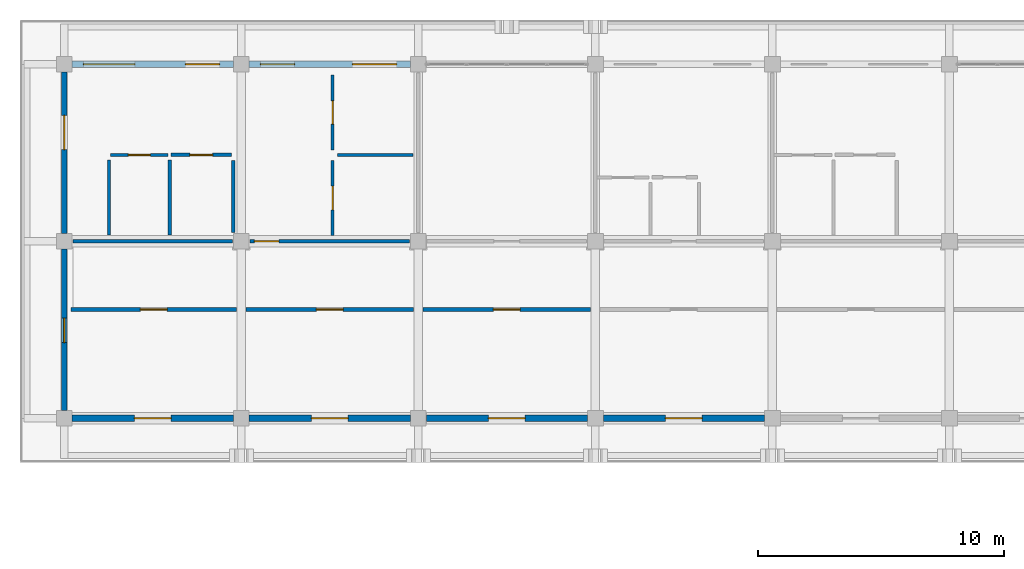
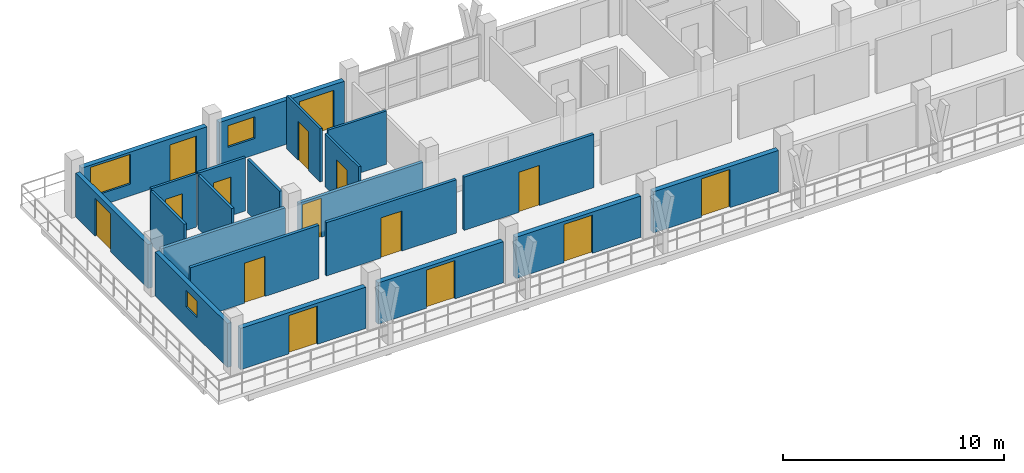
# One storey, part 45 of 78: 21 walls, 15 doors, 3 windows, 18 openings.
"""IFC4 building model written with IfcOpenShell, lengths in metres."""

from ifc_helpers import new_model, si_unit, direction, frame, frame_2d, origin, place, context, subcontext, project, spatial, rectangle, extrude, material, layer, layer_set, type_object, element, fill, save


model = new_model("IFC4")

# Units and contexts
model_context = context("Model", 3, precision=1e-05, world=origin(), true_north=direction((0.0, 1.0)))
body_context = subcontext(model_context, "Body", "Model", "MODEL_VIEW")
ifc_project = project(units=[si_unit("LENGTHUNIT", "METRE"), si_unit("AREAUNIT", "SQUARE_METRE"), si_unit("VOLUMEUNIT", "CUBIC_METRE"), si_unit("PLANEANGLEUNIT", "RADIAN"), si_unit("MASSUNIT", "GRAM", prefix="KILO")], contexts=[model_context])

# Site, building, storey
site_placement = place(None, origin())
site = spatial("IfcSite", under=ifc_project, at=site_placement, CompositionType="ELEMENT")
building_placement = place(site_placement, origin())
building = spatial("IfcBuilding", under=site, at=building_placement, Name="Suanplinth Sawtooth Commons", CompositionType="ELEMENT")
storey_placement = place(building_placement, frame((0.0, 0.0, 15.39990234375)))
storey = spatial("IfcBuildingStorey", under=building, at=storey_placement, Name="L04", CompositionType="ELEMENT", Elevation=15.39990234375)

# Wall, openings, door, window
ifc_material_1 = material(Name="Precast concrete C40/50", Category="concrete")
ifc_layer_1 = layer(ifc_material_1, 0.260009765625, Name="Insulated precast courtyard facade wall 260mm")
ifc_layer_set_1 = layer_set([ifc_layer_1], Name="Precast concrete C40/50")
wall_type_1 = type_object("IfcWallType", Name="W-EX02", PredefinedType="ELEMENTEDWALL", material=ifc_layer_set_1)
wall_1_placement = place(storey_placement, frame((0.324951171875, 122.39990234375, 0.0), z_axis=(0.0, 0.0, 1.0), x_axis=(1.0, 0.0, 0.0)))
wall_1 = element("IfcWall", 1, at=wall_1_placement, inside=storey, type_object=wall_type_1, Name="Facade Wall W-L04-A-N-0", PredefinedType="ELEMENTEDWALL", context=body_context, shape_type="SweptSolid", body=[
    extrude(rectangle(XDim=6.550048828125, YDim=0.260009765625, at=frame_2d((3.27490234375, 0.0))), origin(), (0.0, 0.0, 1.0), 2.43017578125),
])
opening_1_placement = place(wall_1_placement, frame((4.60009765625, 0.0, 0.0)))
opening_1 = element("IfcOpeningElement", 2, at=opening_1_placement, cuts=wall_1, Name="Opening ED0309", PredefinedType="OPENING", context=body_context, shape_type="SweptSolid", body=[
    extrude(rectangle(XDim=1.39990234375, YDim=2.10009765625, at=frame_2d((0.699951171875, 1.050048828125))), frame((0.0, 0.14501953125, 0.0), z_axis=(0.0, -1.0, 0.0), x_axis=(1.0, 0.0, 0.0)), (0.0, 0.0, 1.0), 0.289794921875),
])
opening_2_placement = place(wall_1_placement, frame((0.449951171875, 0.0, 0.659912109375)))
opening_2 = element("IfcOpeningElement", 3, at=opening_2_placement, cuts=wall_1, Name="Opening W0414", PredefinedType="OPENING", context=body_context, shape_type="SweptSolid", body=[
    extrude(rectangle(XDim=2.10009765625, YDim=1.64990234375, at=frame_2d((1.050048828125, 0.824951171875))), frame((0.0, 0.14501953125, 0.0), z_axis=(0.0, -1.0, 0.0), x_axis=(1.0, 0.0, 0.0)), (0.0, 0.0, 1.0), 0.289794921875),
])
ifc_material_2 = material(Name="Anodized aluminium and low-E glass", Category="aluminium")
door_type_1 = type_object("IfcDoorType", Name="SD-07", OperationType="SLIDING_TO_RIGHT", PredefinedType="DOOR", material=ifc_material_2)
door_1_placement = place(opening_1_placement, frame((1.39990234375, 0.0, 0.0), z_axis=(0.0, 0.0, 1.0), x_axis=(-1.0, 0.0, 0.0)))
door_1 = element("IfcDoor", 4, at=door_1_placement, inside=storey, type_object=door_type_1, Name="Balcony Sliding Door L04-A-N-0", OperationType="SLIDING_TO_RIGHT", OverallHeight=2.10009765625, OverallWidth=1.39990234375, PredefinedType="DOOR", context=body_context, shape_type="SweptSolid", body=[
    extrude(rectangle(XDim=1.39990234375, YDim=2.10009765625, at=frame_2d((0.699951171875, 1.050048828125))), frame((0.0, 0.02490234375, 0.0), z_axis=(0.0, -1.0, 0.0), x_axis=(1.0, 0.0, 0.0)), (0.0, 0.0, 1.0), 0.050048828125),
])
fill(opening_1, door_1)
ifc_material_3 = material(Name="Thermally broken aluminium and low-E double glazing", Category="aluminium")
window_type_1 = type_object("IfcWindowType", Name="WN-06", PartitioningType="DOUBLE_PANEL_VERTICAL", PredefinedType="WINDOW", material=ifc_material_3)
window_1_placement = place(opening_2_placement, origin())
window_1 = element("IfcWindow", 5, at=window_1_placement, inside=storey, type_object=window_type_1, Name="Window L04-A-N-0", OverallHeight=1.64990234375, OverallWidth=2.10009765625, PartitioningType="DOUBLE_PANEL_VERTICAL", PredefinedType="WINDOW", context=body_context, shape_type="SweptSolid", body=[
    extrude(rectangle(XDim=2.10009765625, YDim=1.64990234375, at=frame_2d((1.050048828125, 0.824951171875))), frame((0.0, 0.030029296875, 0.0), z_axis=(0.0, -1.0, 0.0), x_axis=(1.0, 0.0, 0.0)), (0.0, 0.0, 1.0), 0.06005859375),
])
fill(opening_2, window_1)

# Wall, opening, door
wall_2_placement = place(storey_placement, frame((0.324951171875, 108.0, 0.0), z_axis=(0.0, 0.0, 1.0), x_axis=(1.0, 0.0, 0.0)))
wall_2 = element("IfcWall", 6, at=wall_2_placement, inside=storey, type_object=wall_type_1, Name="Courtyard Wall W-L04-A-S-0", PredefinedType="ELEMENTEDWALL", context=body_context, shape_type="SweptSolid", body=[
    extrude(rectangle(XDim=6.550048828125, YDim=0.260009765625, at=frame_2d((3.27490234375, 0.0))), origin(), (0.0, 0.0, 1.0), 2.28515625),
])
opening_3_placement = place(wall_2_placement, frame((2.52490234375, 0.0, 0.0)))
opening_3 = element("IfcOpeningElement", 7, at=opening_3_placement, cuts=wall_2, Name="Opening ED0310", PredefinedType="OPENING", context=body_context, shape_type="SweptSolid", body=[
    extrude(rectangle(XDim=1.5, YDim=2.1201171875, at=frame_2d((0.75, 1.06005859375))), frame((0.0, 0.14501953125, 0.0), z_axis=(0.0, -1.0, 0.0), x_axis=(1.0, 0.0, 0.0)), (0.0, 0.0, 1.0), 0.289794921875),
])
door_type_2 = type_object("IfcDoorType", Name="SD-03", OperationType="SLIDING_TO_LEFT", PredefinedType="DOOR", material=ifc_material_2)
door_2_placement = place(opening_3_placement, frame((1.5, 0.0, 0.0), z_axis=(0.0, 0.0, 1.0), x_axis=(-1.0, 0.0, 0.0)))
door_2 = element("IfcDoor", 8, at=door_2_placement, inside=storey, type_object=door_type_2, Name="Courtyard Balcony Sliding Door L04-A-S-0", OperationType="SLIDING_TO_LEFT", OverallHeight=2.1201171875, OverallWidth=1.5, PredefinedType="DOOR", context=body_context, shape_type="SweptSolid", body=[
    extrude(rectangle(XDim=1.5, YDim=2.1201171875, at=frame_2d((0.75, 1.06005859375))), frame((0.0, 0.02490234375, 0.0), z_axis=(0.0, -1.0, 0.0), x_axis=(1.0, 0.0, 0.0)), (0.0, 0.0, 1.0), 0.050048828125),
])
fill(opening_3, door_2)

# Wall, openings, door, window
wall_3_placement = place(storey_placement, frame((7.52490234375, 122.39990234375, 0.0), z_axis=(0.0, 0.0, 1.0), x_axis=(1.0, 0.0, 0.0)))
wall_3 = element("IfcWall", 9, at=wall_3_placement, inside=storey, type_object=wall_type_1, Name="Facade Wall W-L04-A-N-1", PredefinedType="ELEMENTEDWALL", context=body_context, shape_type="SweptSolid", body=[
    extrude(rectangle(XDim=6.550048828125, YDim=0.260009765625, at=frame_2d((3.27490234375, 0.0))), origin(), (0.0, 0.0, 1.0), 2.43017578125),
])
opening_4_placement = place(wall_3_placement, frame((4.199951171875, 0.0, 0.0)))
opening_4 = element("IfcOpeningElement", 10, at=opening_4_placement, cuts=wall_3, Name="Opening ED0311", PredefinedType="OPENING", context=body_context, shape_type="SweptSolid", body=[
    extrude(rectangle(XDim=1.800048828125, YDim=2.1201171875, at=frame_2d((0.89990234375, 1.06005859375))), frame((0.0, 0.14501953125, 0.0), z_axis=(0.0, -1.0, 0.0), x_axis=(1.0, 0.0, 0.0)), (0.0, 0.0, 1.0), 0.289794921875),
])
opening_5_placement = place(wall_3_placement, frame((0.449951171875, 0.0, 0.89990234375)))
opening_5 = element("IfcOpeningElement", 11, at=opening_5_placement, cuts=wall_3, Name="Opening W0415", PredefinedType="OPENING", context=body_context, shape_type="SweptSolid", body=[
    extrude(rectangle(XDim=1.39990234375, YDim=1.199951171875, at=frame_2d((0.699951171875, 0.60009765625))), frame((0.0, 0.14501953125, 0.0), z_axis=(0.0, -1.0, 0.0), x_axis=(1.0, 0.0, 0.0)), (0.0, 0.0, 1.0), 0.289794921875),
])
door_type_3 = type_object("IfcDoorType", Name="SD-01", OperationType="SLIDING_TO_LEFT", PredefinedType="DOOR", material=ifc_material_2)
door_3_placement = place(opening_4_placement, frame((1.800048828125, 0.0, 0.0), z_axis=(0.0, 0.0, 1.0), x_axis=(-1.0, 0.0, 0.0)))
door_3 = element("IfcDoor", 12, at=door_3_placement, inside=storey, type_object=door_type_3, Name="Balcony Sliding Door L04-A-N-1", OperationType="SLIDING_TO_LEFT", OverallHeight=2.1201171875, OverallWidth=1.800048828125, PredefinedType="DOOR", context=body_context, shape_type="SweptSolid", body=[
    extrude(rectangle(XDim=1.800048828125, YDim=2.1201171875, at=frame_2d((0.89990234375, 1.06005859375))), frame((0.0, 0.02490234375, 0.0), z_axis=(0.0, -1.0, 0.0), x_axis=(1.0, 0.0, 0.0)), (0.0, 0.0, 1.0), 0.050048828125),
])
fill(opening_4, door_3)
window_type_2 = type_object("IfcWindowType", Name="WN-10", PartitioningType="DOUBLE_PANEL_HORIZONTAL", PredefinedType="WINDOW", material=ifc_material_3)
window_2_placement = place(opening_5_placement, origin())
window_2 = element("IfcWindow", 13, at=window_2_placement, inside=storey, type_object=window_type_2, Name="Window L04-A-N-1", OverallHeight=1.199951171875, OverallWidth=1.39990234375, PartitioningType="DOUBLE_PANEL_HORIZONTAL", PredefinedType="WINDOW", context=body_context, shape_type="SweptSolid", body=[
    extrude(rectangle(XDim=1.39990234375, YDim=1.199951171875, at=frame_2d((0.699951171875, 0.60009765625))), frame((0.0, 0.030029296875, 0.0), z_axis=(0.0, -1.0, 0.0), x_axis=(1.0, 0.0, 0.0)), (0.0, 0.0, 1.0), 0.06005859375),
])
fill(opening_5, window_2)

# Wall, opening, door
wall_4_placement = place(storey_placement, frame((7.52490234375, 108.0, 0.0), z_axis=(0.0, 0.0, 1.0), x_axis=(1.0, 0.0, 0.0)))
wall_4 = element("IfcWall", 14, at=wall_4_placement, inside=storey, type_object=wall_type_1, Name="Courtyard Wall W-L04-A-S-1", PredefinedType="ELEMENTEDWALL", context=body_context, shape_type="SweptSolid", body=[
    extrude(rectangle(XDim=6.550048828125, YDim=0.260009765625, at=frame_2d((3.27490234375, 0.0))), origin(), (0.0, 0.0, 1.0), 2.28515625),
])
opening_6_placement = place(wall_4_placement, frame((2.52490234375, 0.0, 0.0)))
opening_6 = element("IfcOpeningElement", 15, at=opening_6_placement, cuts=wall_4, Name="Opening ED0312", PredefinedType="OPENING", context=body_context, shape_type="SweptSolid", body=[
    extrude(rectangle(XDim=1.5, YDim=2.1201171875, at=frame_2d((0.75, 1.06005859375))), frame((0.0, 0.14501953125, 0.0), z_axis=(0.0, -1.0, 0.0), x_axis=(1.0, 0.0, 0.0)), (0.0, 0.0, 1.0), 0.289794921875),
])
door_4_placement = place(opening_6_placement, frame((1.5, 0.0, 0.0), z_axis=(0.0, 0.0, 1.0), x_axis=(-1.0, 0.0, 0.0)))
door_4 = element("IfcDoor", 16, at=door_4_placement, inside=storey, type_object=door_type_2, Name="Courtyard Balcony Sliding Door L04-A-S-1", OperationType="SLIDING_TO_LEFT", OverallHeight=2.1201171875, OverallWidth=1.5, PredefinedType="DOOR", context=body_context, shape_type="SweptSolid", body=[
    extrude(rectangle(XDim=1.5, YDim=2.1201171875, at=frame_2d((0.75, 1.06005859375))), frame((0.0, 0.02490234375, 0.0), z_axis=(0.0, -1.0, 0.0), x_axis=(1.0, 0.0, 0.0)), (0.0, 0.0, 1.0), 0.050048828125),
])
fill(opening_6, door_4)

wall_5_placement = place(storey_placement, frame((14.72509765625, 108.0, 0.0), z_axis=(0.0, 0.0, 1.0), x_axis=(1.0, 0.0, 0.0)))
wall_5 = element("IfcWall", 17, at=wall_5_placement, inside=storey, type_object=wall_type_1, Name="Courtyard Wall W-L04-A-S-2", PredefinedType="ELEMENTEDWALL", context=body_context, shape_type="SweptSolid", body=[
    extrude(rectangle(XDim=6.5498046875, YDim=0.260009765625, at=frame_2d((3.27490234375, 0.0))), origin(), (0.0, 0.0, 1.0), 2.28515625),
])
opening_7_placement = place(wall_5_placement, frame((2.52490234375, 0.0, 0.0)))
opening_7 = element("IfcOpeningElement", 18, at=opening_7_placement, cuts=wall_5, Name="Opening ED0313", PredefinedType="OPENING", context=body_context, shape_type="SweptSolid", body=[
    extrude(rectangle(XDim=1.5, YDim=2.1201171875, at=frame_2d((0.75, 1.06005859375))), frame((0.0, 0.14501953125, 0.0), z_axis=(0.0, -1.0, 0.0), x_axis=(1.0, 0.0, 0.0)), (0.0, 0.0, 1.0), 0.289794921875),
])
door_5_placement = place(opening_7_placement, frame((1.5, 0.0, 0.0), z_axis=(0.0, 0.0, 1.0), x_axis=(-1.0, 0.0, 0.0)))
door_5 = element("IfcDoor", 19, at=door_5_placement, inside=storey, type_object=door_type_2, Name="Courtyard Balcony Sliding Door L04-A-S-2", OperationType="SLIDING_TO_LEFT", OverallHeight=2.1201171875, OverallWidth=1.5, PredefinedType="DOOR", context=body_context, shape_type="SweptSolid", body=[
    extrude(rectangle(XDim=1.5, YDim=2.1201171875, at=frame_2d((0.75, 1.06005859375))), frame((0.0, 0.02490234375, 0.0), z_axis=(0.0, -1.0, 0.0), x_axis=(1.0, 0.0, 0.0)), (0.0, 0.0, 1.0), 0.050048828125),
])
fill(opening_7, door_5)

wall_6_placement = place(storey_placement, frame((21.925048828125, 108.0, 0.0), z_axis=(0.0, 0.0, 1.0), x_axis=(1.0, 0.0, 0.0)))
wall_6 = element("IfcWall", 20, at=wall_6_placement, inside=storey, type_object=wall_type_1, Name="Courtyard Wall W-L04-A-S-3", PredefinedType="ELEMENTEDWALL", context=body_context, shape_type="SweptSolid", body=[
    extrude(rectangle(XDim=6.550048828125, YDim=0.260009765625, at=frame_2d((3.27490234375, 0.0))), origin(), (0.0, 0.0, 1.0), 2.28515625),
])
opening_8_placement = place(wall_6_placement, frame((2.52490234375, 0.0, 0.0)))
opening_8 = element("IfcOpeningElement", 21, at=opening_8_placement, cuts=wall_6, Name="Opening ED0315", PredefinedType="OPENING", context=body_context, shape_type="SweptSolid", body=[
    extrude(rectangle(XDim=1.5, YDim=2.1201171875, at=frame_2d((0.75, 1.06005859375))), frame((0.0, 0.14501953125, 0.0), z_axis=(0.0, -1.0, 0.0), x_axis=(1.0, 0.0, 0.0)), (0.0, 0.0, 1.0), 0.289794921875),
])
door_6_placement = place(opening_8_placement, frame((1.5, 0.0, 0.0), z_axis=(0.0, 0.0, 1.0), x_axis=(-1.0, 0.0, 0.0)))
door_6 = element("IfcDoor", 22, at=door_6_placement, inside=storey, type_object=door_type_2, Name="Courtyard Balcony Sliding Door L04-A-S-3", OperationType="SLIDING_TO_LEFT", OverallHeight=2.1201171875, OverallWidth=1.5, PredefinedType="DOOR", context=body_context, shape_type="SweptSolid", body=[
    extrude(rectangle(XDim=1.5, YDim=2.1201171875, at=frame_2d((0.75, 1.06005859375))), frame((0.0, 0.02490234375, 0.0), z_axis=(0.0, -1.0, 0.0), x_axis=(1.0, 0.0, 0.0)), (0.0, 0.0, 1.0), 0.050048828125),
])
fill(opening_8, door_6)

# Wall, opening, window
ifc_layer_2 = layer(ifc_material_1, 0.22998046875, Name="Stepped terrace insulated precast wall 230mm")
ifc_layer_set_2 = layer_set([ifc_layer_2], Name="Precast concrete C40/50")
wall_type_2 = type_object("IfcWallType", Name="W-EX06", PredefinedType="ELEMENTEDWALL", material=ifc_layer_set_2)
wall_7_placement = place(storey_placement, frame((0.0, 108.324951171875, 0.0), z_axis=(0.0, 0.0, 1.0), x_axis=(0.0, 1.0, 0.0)))
wall_7 = element("IfcWall", 23, at=wall_7_placement, inside=storey, type_object=wall_type_2, Name="End Wall W-L04-A-W-15", PredefinedType="ELEMENTEDWALL", context=body_context, shape_type="SweptSolid", body=[
    extrude(rectangle(XDim=6.550048828125, YDim=0.22998046875, at=frame_2d((3.27490234375, 0.0))), origin(), (0.0, 0.0, 1.0), 2.43017578125),
])
opening_9_placement = place(wall_7_placement, frame((2.75, 0.0, 1.10009765625)))
opening_9 = element("IfcOpeningElement", 24, at=opening_9_placement, cuts=wall_7, Name="Opening W0430", PredefinedType="OPENING", context=body_context, shape_type="SweptSolid", body=[
    extrude(rectangle(XDim=1.0, YDim=0.89990234375, at=frame_2d((0.5, 0.449951171875))), frame((0.0, 0.1298828125, 0.0), z_axis=(0.0, -1.0, 0.0), x_axis=(1.0, 0.0, 0.0)), (0.0, 0.0, 1.0), 0.259765625),
])
window_type_3 = type_object("IfcWindowType", Name="WN-12", PartitioningType="SINGLE_PANEL", PredefinedType="WINDOW", material=ifc_material_3)
window_3_placement = place(opening_9_placement, origin())
window_3 = element("IfcWindow", 25, at=window_3_placement, inside=storey, type_object=window_type_3, Name="End Window L04-A-W-15", OverallHeight=0.89990234375, OverallWidth=1.0, PartitioningType="SINGLE_PANEL", PredefinedType="WINDOW", context=body_context, shape_type="SweptSolid", body=[
    extrude(rectangle(XDim=1.0, YDim=0.89990234375, at=frame_2d((0.5, 0.449951171875))), frame((0.0, 0.030029296875, 0.0), z_axis=(0.0, -1.0, 0.0), x_axis=(1.0, 0.0, 0.0)), (0.0, 0.0, 1.0), 0.06005859375),
])
fill(opening_9, window_3)

# Wall, opening, door
wall_8_placement = place(storey_placement, frame((0.0, 115.52490234375, 0.0), z_axis=(0.0, 0.0, 1.0), x_axis=(0.0, 1.0, 0.0)))
wall_8 = element("IfcWall", 26, at=wall_8_placement, inside=storey, type_object=wall_type_2, Name="End Wall W-L04-A-W-16", PredefinedType="ELEMENTEDWALL", context=body_context, shape_type="SweptSolid", body=[
    extrude(rectangle(XDim=6.550048828125, YDim=0.22998046875, at=frame_2d((3.27490234375, 0.0))), origin(), (0.0, 0.0, 1.0), 2.43017578125),
])
opening_10_placement = place(wall_8_placement, frame((3.39990234375, 0.0, 0.0)))
opening_10 = element("IfcOpeningElement", 27, at=opening_10_placement, cuts=wall_8, Name="Opening ED0333", PredefinedType="OPENING", context=body_context, shape_type="SweptSolid", body=[
    extrude(rectangle(XDim=1.39990234375, YDim=2.10009765625, at=frame_2d((0.699951171875, 1.050048828125))), frame((0.0, 0.1298828125, 0.0), z_axis=(0.0, -1.0, 0.0), x_axis=(1.0, 0.0, 0.0)), (0.0, 0.0, 1.0), 0.259765625),
])
door_7_placement = place(opening_10_placement, frame((1.39990234375, 0.0, 0.0), z_axis=(0.0, 0.0, 1.0), x_axis=(-1.0, 0.0, 0.0)))
door_7 = element("IfcDoor", 28, at=door_7_placement, inside=storey, type_object=door_type_1, Name="L04 Block A W End Balcony Door", OperationType="SLIDING_TO_RIGHT", OverallHeight=2.10009765625, OverallWidth=1.39990234375, PredefinedType="DOOR", context=body_context, shape_type="SweptSolid", body=[
    extrude(rectangle(XDim=1.39990234375, YDim=2.10009765625, at=frame_2d((0.699951171875, 1.050048828125))), frame((0.0, 0.02490234375, 0.0), z_axis=(0.0, -1.0, 0.0), x_axis=(1.0, 0.0, 0.0)), (0.0, 0.0, 1.0), 0.050048828125),
])
fill(opening_10, door_7)

# Wall
ifc_layer_3 = layer(ifc_material_1, 0.159912109375, Name="Fire-rated corridor and lobby wall 160mm")
ifc_layer_set_3 = layer_set([ifc_layer_3], Name="Precast concrete C40/50")
wall_type_3 = type_object("IfcWallType", Name="W-FW01", PredefinedType="PARTITIONING", material=ifc_layer_set_3)
wall_9_placement = place(storey_placement, frame((0.35498046875, 115.199951171875, 0.0), z_axis=(0.0, 0.0, 1.0), x_axis=(1.0, 0.0, 0.0)))
element("IfcWall", 29, at=wall_9_placement, inside=storey, type_object=wall_type_3, Name="W-A-L04-U01-COR-S1", PredefinedType="PARTITIONING", context=body_context, shape_type="SweptSolid", body=[
    extrude(rectangle(XDim=6.489990234375, YDim=0.159912109375, at=frame_2d((3.2451171875, 0.0))), origin(), (0.0, 0.0, 1.0), 2.28515625),
])

# Wall, opening, door
wall_10_placement = place(storey_placement, frame((7.554931640625, 115.199951171875, 0.0), z_axis=(0.0, 0.0, 1.0), x_axis=(1.0, 0.0, 0.0)))
wall_10 = element("IfcWall", 30, at=wall_10_placement, inside=storey, type_object=wall_type_3, Name="W-A-L04-U01-COR-S2", PredefinedType="PARTITIONING", context=body_context, shape_type="SweptSolid", body=[
    extrude(rectangle(XDim=6.489990234375, YDim=0.159912109375, at=frame_2d((3.2451171875, 0.0))), origin(), (0.0, 0.0, 1.0), 2.28515625),
])
opening_11_placement = place(wall_10_placement, frame((0.179931640625, 0.0, 0.0)))
opening_11 = element("IfcOpeningElement", 31, at=opening_11_placement, cuts=wall_10, Name="Opening FD1041", PredefinedType="OPENING", context=body_context, shape_type="SweptSolid", body=[
    extrude(rectangle(XDim=1.0, YDim=2.14990234375, at=frame_2d((0.5, 1.074951171875))), frame((0.0, 0.0947265625, 0.0), z_axis=(0.0, -1.0, 0.0), x_axis=(1.0, 0.0, 0.0)), (0.0, 0.0, 1.0), 0.189697265625),
])
ifc_material_4 = material(Name="Teak hardwood fire-rated door assembly", Category="wood")
door_type_4 = type_object("IfcDoorType", Name="FD-03", OperationType="NOTDEFINED", PredefinedType="DOOR", material=ifc_material_4)
door_8_placement = place(opening_11_placement, origin())
door_8 = element("IfcDoor", 32, at=door_8_placement, inside=storey, type_object=door_type_4, Name="Unit Entrance Door FD1041", OperationType="SINGLE_SWING_LEFT", OverallHeight=2.14990234375, OverallWidth=1.0, PredefinedType="DOOR", context=body_context, shape_type="SweptSolid", body=[
    extrude(rectangle(XDim=1.0, YDim=2.14990234375, at=frame_2d((0.5, 1.074951171875))), frame((0.0, 0.02490234375, 0.0), z_axis=(0.0, -1.0, 0.0), x_axis=(1.0, 0.0, 0.0)), (0.0, 0.0, 1.0), 0.050048828125),
])
fill(opening_11, door_8)

wall_11_placement = place(storey_placement, frame((0.280029296875, 112.419921875, 0.0), z_axis=(0.0, 0.0, 1.0), x_axis=(1.0, 0.0, 0.0)))
wall_11 = element("IfcWall", 33, at=wall_11_placement, inside=storey, type_object=wall_type_3, Name="W-A-L04-COURTROOM-12-COR", PredefinedType="PARTITIONING", context=body_context, shape_type="SweptSolid", body=[
    extrude(rectangle(XDim=6.719970703125, YDim=0.159912109375, at=frame_2d((3.35986328125, 0.0))), origin(), (0.0, 0.0, 1.0), 2.9501953125),
])
opening_12_placement = place(wall_11_placement, frame((2.820068359375, 0.0, 0.0)))
opening_12 = element("IfcOpeningElement", 34, at=opening_12_placement, cuts=wall_11, Name="Opening D1083", PredefinedType="OPENING", context=body_context, shape_type="SweptSolid", body=[
    extrude(rectangle(XDim=1.080078125, YDim=2.219970703125, at=frame_2d((0.5400390625, 1.10986328125))), frame((0.0, 0.0947265625, 0.0), z_axis=(0.0, -1.0, 0.0), x_axis=(1.0, 0.0, 0.0)), (0.0, 0.0, 1.0), 0.189697265625),
])
ifc_material_5 = material(Name="Teak hardwood", Category="wood")
door_type_5 = type_object("IfcDoorType", Name="D-17", OperationType="NOTDEFINED", PredefinedType="DOOR", material=ifc_material_5)
door_9_placement = place(opening_12_placement, frame((1.080078125, 0.0, 0.0), z_axis=(0.0, 0.0, 1.0), x_axis=(-1.0, 0.0, 0.0)))
door_9 = element("IfcDoor", 35, at=door_9_placement, inside=storey, type_object=door_type_5, Name="Study Studio Door D1083", OperationType="SINGLE_SWING_LEFT", OverallHeight=2.219970703125, OverallWidth=1.080078125, PredefinedType="DOOR", context=body_context, shape_type="SweptSolid", body=[
    extrude(rectangle(XDim=1.080078125, YDim=2.219970703125, at=frame_2d((0.5400390625, 1.10986328125))), frame((0.0, 0.02490234375, 0.0), z_axis=(0.0, -1.0, 0.0), x_axis=(1.0, 0.0, 0.0)), (0.0, 0.0, 1.0), 0.050048828125),
])
fill(opening_12, door_9)

wall_12_placement = place(storey_placement, frame((7.39990234375, 112.419921875, 0.0), z_axis=(0.0, 0.0, 1.0), x_axis=(1.0, 0.0, 0.0)))
wall_12 = element("IfcWall", 36, at=wall_12_placement, inside=storey, type_object=wall_type_3, Name="W-A-L04-COURTROOM-13-COR", PredefinedType="PARTITIONING", context=body_context, shape_type="SweptSolid", body=[
    extrude(rectangle(XDim=6.800048828125, YDim=0.159912109375, at=frame_2d((3.39990234375, 0.0))), origin(), (0.0, 0.0, 1.0), 2.9501953125),
])
opening_13_placement = place(wall_12_placement, frame((2.860107421875, 0.0, 0.0)))
opening_13 = element("IfcOpeningElement", 37, at=opening_13_placement, cuts=wall_12, Name="Opening D1084", PredefinedType="OPENING", context=body_context, shape_type="SweptSolid", body=[
    extrude(rectangle(XDim=1.080078125, YDim=2.219970703125, at=frame_2d((0.5400390625, 1.10986328125))), frame((0.0, 0.0947265625, 0.0), z_axis=(0.0, -1.0, 0.0), x_axis=(1.0, 0.0, 0.0)), (0.0, 0.0, 1.0), 0.189697265625),
])
door_10_placement = place(opening_13_placement, frame((1.080078125, 0.0, 0.0), z_axis=(0.0, 0.0, 1.0), x_axis=(-1.0, 0.0, 0.0)))
door_10 = element("IfcDoor", 38, at=door_10_placement, inside=storey, type_object=door_type_5, Name="Study Studio Door D1084", OperationType="SINGLE_SWING_RIGHT", OverallHeight=2.219970703125, OverallWidth=1.080078125, PredefinedType="DOOR", context=body_context, shape_type="SweptSolid", body=[
    extrude(rectangle(XDim=1.080078125, YDim=2.219970703125, at=frame_2d((0.5400390625, 1.10986328125))), frame((0.0, 0.02490234375, 0.0), z_axis=(0.0, -1.0, 0.0), x_axis=(1.0, 0.0, 0.0)), (0.0, 0.0, 1.0), 0.050048828125),
])
fill(opening_13, door_10)

wall_13_placement = place(storey_placement, frame((14.60009765625, 112.419921875, 0.0), z_axis=(0.0, 0.0, 1.0), x_axis=(1.0, 0.0, 0.0)))
wall_13 = element("IfcWall", 39, at=wall_13_placement, inside=storey, type_object=wall_type_3, Name="W-A-L04-COURTROOM-14-COR", PredefinedType="PARTITIONING", context=body_context, shape_type="SweptSolid", body=[
    extrude(rectangle(XDim=6.7998046875, YDim=0.159912109375, at=frame_2d((3.39990234375, 0.0))), origin(), (0.0, 0.0, 1.0), 2.9501953125),
])
opening_14_placement = place(wall_13_placement, frame((2.860107421875, 0.0, 0.0)))
opening_14 = element("IfcOpeningElement", 40, at=opening_14_placement, cuts=wall_13, Name="Opening D1085", PredefinedType="OPENING", context=body_context, shape_type="SweptSolid", body=[
    extrude(rectangle(XDim=1.080078125, YDim=2.219970703125, at=frame_2d((0.5400390625, 1.10986328125))), frame((0.0, 0.0947265625, 0.0), z_axis=(0.0, -1.0, 0.0), x_axis=(1.0, 0.0, 0.0)), (0.0, 0.0, 1.0), 0.189697265625),
])
door_11_placement = place(opening_14_placement, frame((1.080078125, 0.0, 0.0), z_axis=(0.0, 0.0, 1.0), x_axis=(-1.0, 0.0, 0.0)))
door_11 = element("IfcDoor", 41, at=door_11_placement, inside=storey, type_object=door_type_5, Name="Study Studio Door D1085", OperationType="SINGLE_SWING_LEFT", OverallHeight=2.219970703125, OverallWidth=1.080078125, PredefinedType="DOOR", context=body_context, shape_type="SweptSolid", body=[
    extrude(rectangle(XDim=1.080078125, YDim=2.219970703125, at=frame_2d((0.5400390625, 1.10986328125))), frame((0.0, 0.02490234375, 0.0), z_axis=(0.0, -1.0, 0.0), x_axis=(1.0, 0.0, 0.0)), (0.0, 0.0, 1.0), 0.050048828125),
])
fill(opening_14, door_11)

ifc_material_6 = material(Name="Gypsum plasterboard on steel stud", Category="steel")
ifc_layer_4 = layer(ifc_material_6, 0.139892578125, Name="Fire-rated kitchen partition 140mm")
ifc_layer_set_4 = layer_set([ifc_layer_4], Name="Gypsum plasterboard on steel stud")
wall_type_4 = type_object("IfcWallType", Name="W-PT01", PredefinedType="PARTITIONING", material=ifc_layer_set_4)
wall_14_placement = place(storey_placement, frame((4.35009765625, 118.7099609375, 0.0), z_axis=(0.0, 0.0, 1.0), x_axis=(1.0, 0.0, 0.0)))
wall_14 = element("IfcWall", 42, at=wall_14_placement, inside=storey, type_object=wall_type_4, Name="W-A-L04-U01-KIT1", PredefinedType="PARTITIONING", context=body_context, shape_type="SweptSolid", body=[
    extrude(rectangle(XDim=2.449951171875, YDim=0.139892578125, at=frame_2d((1.22509765625, 0.0))), origin(), (0.0, 0.0, 1.0), 2.9501953125),
])
opening_15_placement = place(wall_14_placement, frame((0.760009765625, 0.0, 0.0)))
opening_15 = element("IfcOpeningElement", 43, at=opening_15_placement, cuts=wall_14, Name="Opening D1043", PredefinedType="OPENING", context=body_context, shape_type="SweptSolid", body=[
    extrude(rectangle(XDim=0.929931640625, YDim=2.139892578125, at=frame_2d((0.46484375, 1.06982421875))), frame((0.0, 0.0849609375, 0.0), z_axis=(0.0, -1.0, 0.0), x_axis=(1.0, 0.0, 0.0)), (0.0, 0.0, 1.0), 0.169677734375),
])
door_type_6 = type_object("IfcDoorType", Name="D-19", OperationType="NOTDEFINED", PredefinedType="DOOR", material=ifc_material_5)
door_12_placement = place(opening_15_placement, frame((0.929931640625, 0.0, 0.0), z_axis=(0.0, 0.0, 1.0), x_axis=(-1.0, 0.0, 0.0)))
door_12 = element("IfcDoor", 44, at=door_12_placement, inside=storey, type_object=door_type_6, Name="Kitchen Door D1043", OperationType="SINGLE_SWING_LEFT", OverallHeight=2.139892578125, OverallWidth=0.929931640625, PredefinedType="DOOR", context=body_context, shape_type="SweptSolid", body=[
    extrude(rectangle(XDim=0.929931640625, YDim=2.139892578125, at=frame_2d((0.46484375, 1.06982421875))), frame((0.0, 0.02490234375, 0.0), z_axis=(0.0, -1.0, 0.0), x_axis=(1.0, 0.0, 0.0)), (0.0, 0.0, 1.0), 0.050048828125),
])
fill(opening_15, door_12)

# Wall
wall_15_placement = place(storey_placement, frame((6.8701171875, 115.554931640625, 0.0), z_axis=(0.0, 0.0, 1.0), x_axis=(0.0, 1.0, 0.0)))
element("IfcWall", 45, at=wall_15_placement, inside=storey, type_object=wall_type_4, Name="W-A-L04-U01-KIT2", PredefinedType="PARTITIONING", context=body_context, shape_type="SweptSolid", body=[
    extrude(rectangle(XDim=2.93505859375, YDim=0.139892578125, at=frame_2d((1.467529296875, 0.0))), origin(), (0.0, 0.0, 1.0), 2.9501953125),
])

# Wall, opening, door
ifc_layer_5 = layer(ifc_material_6, 0.1298828125, Name="Moisture-resistant bathroom partition 130mm")
ifc_layer_set_5 = layer_set([ifc_layer_5], Name="Gypsum plasterboard on steel stud")
wall_type_5 = type_object("IfcWallType", Name="W-PT02", PredefinedType="PARTITIONING", material=ifc_layer_set_5)
wall_16_placement = place(storey_placement, frame((1.8798828125, 118.705078125, 0.0), z_axis=(0.0, 0.0, 1.0), x_axis=(1.0, 0.0, 0.0)))
wall_16 = element("IfcWall", 46, at=wall_16_placement, inside=storey, type_object=wall_type_5, Name="W-A-L04-U01-BTH1", PredefinedType="PARTITIONING", context=body_context, shape_type="SweptSolid", body=[
    extrude(rectangle(XDim=2.35009765625, YDim=0.1298828125, at=frame_2d((1.175048828125, 0.0))), origin(), (0.0, 0.0, 1.0), 2.9501953125),
])
opening_16_placement = place(wall_16_placement, frame((0.72509765625, 0.0, 0.0)))
opening_16 = element("IfcOpeningElement", 47, at=opening_16_placement, cuts=wall_16, Name="Opening D1042", PredefinedType="OPENING", context=body_context, shape_type="SweptSolid", body=[
    extrude(rectangle(XDim=0.89990234375, YDim=2.10009765625, at=frame_2d((0.449951171875, 1.050048828125))), frame((0.0, 0.079833984375, 0.0), z_axis=(0.0, -1.0, 0.0), x_axis=(1.0, 0.0, 0.0)), (0.0, 0.0, 1.0), 0.15966796875),
])
door_type_7 = type_object("IfcDoorType", Name="D-01", OperationType="NOTDEFINED", PredefinedType="DOOR", material=ifc_material_5)
door_13_placement = place(opening_16_placement, frame((0.89990234375, 0.0, 0.0), z_axis=(0.0, 0.0, 1.0), x_axis=(-1.0, 0.0, 0.0)))
door_13 = element("IfcDoor", 48, at=door_13_placement, inside=storey, type_object=door_type_7, Name="Bathroom Door D1042", OperationType="SINGLE_SWING_RIGHT", OverallHeight=2.10009765625, OverallWidth=0.89990234375, PredefinedType="DOOR", context=body_context, shape_type="SweptSolid", body=[
    extrude(rectangle(XDim=0.89990234375, YDim=2.10009765625, at=frame_2d((0.449951171875, 1.050048828125))), frame((0.0, 0.02490234375, 0.0), z_axis=(0.0, -1.0, 0.0), x_axis=(1.0, 0.0, 0.0)), (0.0, 0.0, 1.0), 0.050048828125),
])
fill(opening_16, door_13)

# Walls
for number, where, z_axis, x_axis, name in (
    (49, (4.294921875, 115.4599609375, 0.0), (0.0, 0.0, 1.0), (0.0, 1.0, 0.0), "W-A-L04-U01-BTH2"),
    (50, (1.81494140625, 115.4599609375, 0.0), (0.0, 0.0, 1.0), (0.0, 1.0, 0.0), "W-A-L04-U01-BTH3"),
):
    element("IfcWall", number, at=place(storey_placement, frame(where, z_axis=z_axis, x_axis=x_axis)), inside=storey, type_object=wall_type_5, Name=name, PredefinedType="PARTITIONING", context=body_context, shape_type="SweptSolid", body=[
        extrude(rectangle(XDim=3.0400390625, YDim=0.1298828125, at=frame_2d((1.52001953125, 0.0))), origin(), (0.0, 0.0, 1.0), 2.9501953125),
    ])

# Wall, opening, door
ifc_layer_6 = layer(ifc_material_6, 0.1201171875, Name="Acoustic bedroom partition 120mm")
ifc_layer_set_6 = layer_set([ifc_layer_6], Name="Gypsum plasterboard on steel stud")
wall_type_6 = type_object("IfcWallType", Name="W-PT03", PredefinedType="PARTITIONING", material=ifc_layer_set_6)
wall_17_placement = place(storey_placement, frame((10.919921875, 118.919921875, 0.0), z_axis=(0.0, 0.0, 1.0), x_axis=(0.0, 1.0, 0.0)))
wall_17 = element("IfcWall", 51, at=wall_17_placement, inside=storey, type_object=wall_type_6, Name="W-A-L04-U01-BED1", PredefinedType="PARTITIONING", context=body_context, shape_type="SweptSolid", body=[
    extrude(rectangle(XDim=3.0400390625, YDim=0.1201171875, at=frame_2d((1.52001953125, 0.0))), origin(), (0.0, 0.0, 1.0), 2.9501953125),
])
opening_17_placement = place(wall_17_placement, frame((1.044921875, 0.0, 0.0)))
opening_17 = element("IfcOpeningElement", 52, at=opening_17_placement, cuts=wall_17, Name="Opening D1044", PredefinedType="OPENING", context=body_context, shape_type="SweptSolid", body=[
    extrude(rectangle(XDim=0.949951171875, YDim=2.14990234375, at=frame_2d((0.47509765625, 1.074951171875))), frame((0.0, 0.074951171875, 0.0), z_axis=(0.0, -1.0, 0.0), x_axis=(1.0, 0.0, 0.0)), (0.0, 0.0, 1.0), 0.14990234375),
])
door_type_8 = type_object("IfcDoorType", Name="D-03", OperationType="NOTDEFINED", PredefinedType="DOOR", material=ifc_material_5)
door_14_placement = place(opening_17_placement, frame((0.949951171875, 0.0, 0.0), z_axis=(0.0, 0.0, 1.0), x_axis=(-1.0, 0.0, 0.0)))
door_14 = element("IfcDoor", 53, at=door_14_placement, inside=storey, type_object=door_type_8, Name="Bedroom Door D1044", OperationType="SINGLE_SWING_RIGHT", OverallHeight=2.14990234375, OverallWidth=0.949951171875, PredefinedType="DOOR", context=body_context, shape_type="SweptSolid", body=[
    extrude(rectangle(XDim=0.949951171875, YDim=2.14990234375, at=frame_2d((0.47509765625, 1.074951171875))), frame((0.0, 0.02490234375, 0.0), z_axis=(0.0, -1.0, 0.0), x_axis=(1.0, 0.0, 0.0)), (0.0, 0.0, 1.0), 0.050048828125),
])
fill(opening_17, door_14)

wall_18_placement = place(storey_placement, frame((10.919921875, 115.43994140625, 0.0), z_axis=(0.0, 0.0, 1.0), x_axis=(0.0, 1.0, 0.0)))
wall_18 = element("IfcWall", 54, at=wall_18_placement, inside=storey, type_object=wall_type_6, Name="W-A-L04-U01-BED2", PredefinedType="PARTITIONING", context=body_context, shape_type="SweptSolid", body=[
    extrude(rectangle(XDim=3.0400390625, YDim=0.1201171875, at=frame_2d((1.52001953125, 0.0))), origin(), (0.0, 0.0, 1.0), 2.9501953125),
])
opening_18_placement = place(wall_18_placement, frame((1.0400390625, 0.0, 0.0)))
opening_18 = element("IfcOpeningElement", 55, at=opening_18_placement, cuts=wall_18, Name="Opening D1045", PredefinedType="OPENING", context=body_context, shape_type="SweptSolid", body=[
    extrude(rectangle(XDim=0.9599609375, YDim=2.14990234375, at=frame_2d((0.47998046875, 1.074951171875))), frame((0.0, 0.074951171875, 0.0), z_axis=(0.0, -1.0, 0.0), x_axis=(1.0, 0.0, 0.0)), (0.0, 0.0, 1.0), 0.14990234375),
])
door_type_9 = type_object("IfcDoorType", Name="D-13", OperationType="NOTDEFINED", PredefinedType="DOOR", material=ifc_material_5)
door_15_placement = place(opening_18_placement, frame((0.9599609375, 0.0, 0.0), z_axis=(0.0, 0.0, 1.0), x_axis=(-1.0, 0.0, 0.0)))
door_15 = element("IfcDoor", 56, at=door_15_placement, inside=storey, type_object=door_type_9, Name="Second Bedroom Door D1045", OperationType="SINGLE_SWING_LEFT", OverallHeight=2.14990234375, OverallWidth=0.9599609375, PredefinedType="DOOR", context=body_context, shape_type="SweptSolid", body=[
    extrude(rectangle(XDim=0.9599609375, YDim=2.14990234375, at=frame_2d((0.47998046875, 1.074951171875))), frame((0.0, 0.02490234375, 0.0), z_axis=(0.0, -1.0, 0.0), x_axis=(1.0, 0.0, 0.0)), (0.0, 0.0, 1.0), 0.050048828125),
])
fill(opening_18, door_15)

# Wall
ifc_layer_7 = layer(ifc_material_6, 0.125, Name="Acoustic study partition 125mm")
ifc_layer_set_7 = layer_set([ifc_layer_7], Name="Gypsum plasterboard on steel stud")
wall_type_7 = type_object("IfcWallType", Name="W-PT06", PredefinedType="PARTITIONING", material=ifc_layer_set_7)
wall_19_placement = place(storey_placement, frame((11.1201171875, 118.699951171875, 0.0), z_axis=(0.0, 0.0, 1.0), x_axis=(1.0, 0.0, 0.0)))
element("IfcWall", 57, at=wall_19_placement, inside=storey, type_object=wall_type_7, Name="W-A-L04-U01-BEDDIV", PredefinedType="PARTITIONING", context=body_context, shape_type="SweptSolid", body=[
    extrude(rectangle(XDim=3.059814453125, YDim=0.125, at=frame_2d((1.52978515625, 0.0))), origin(), (0.0, 0.0, 1.0), 2.9501953125),
])

save(model, "model.ifc")
